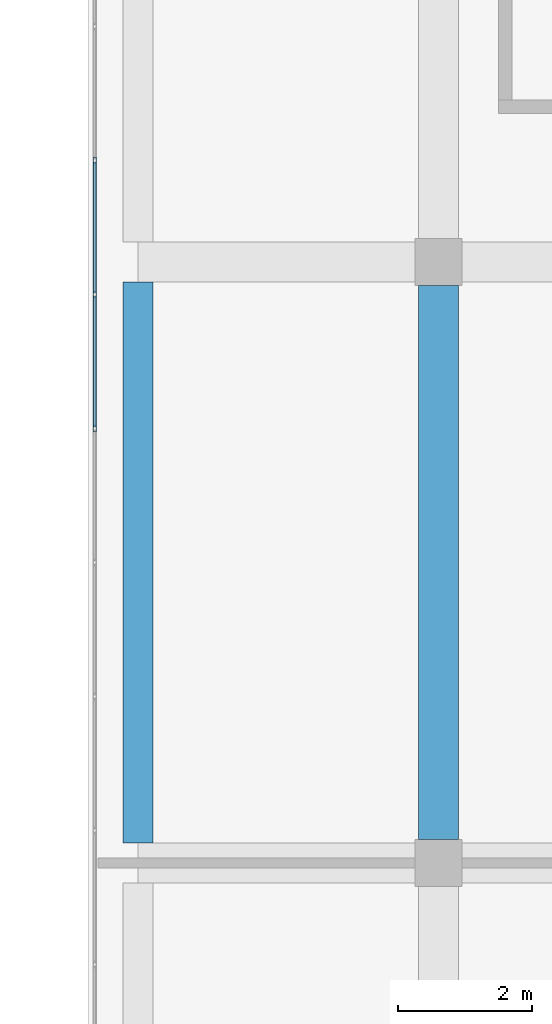
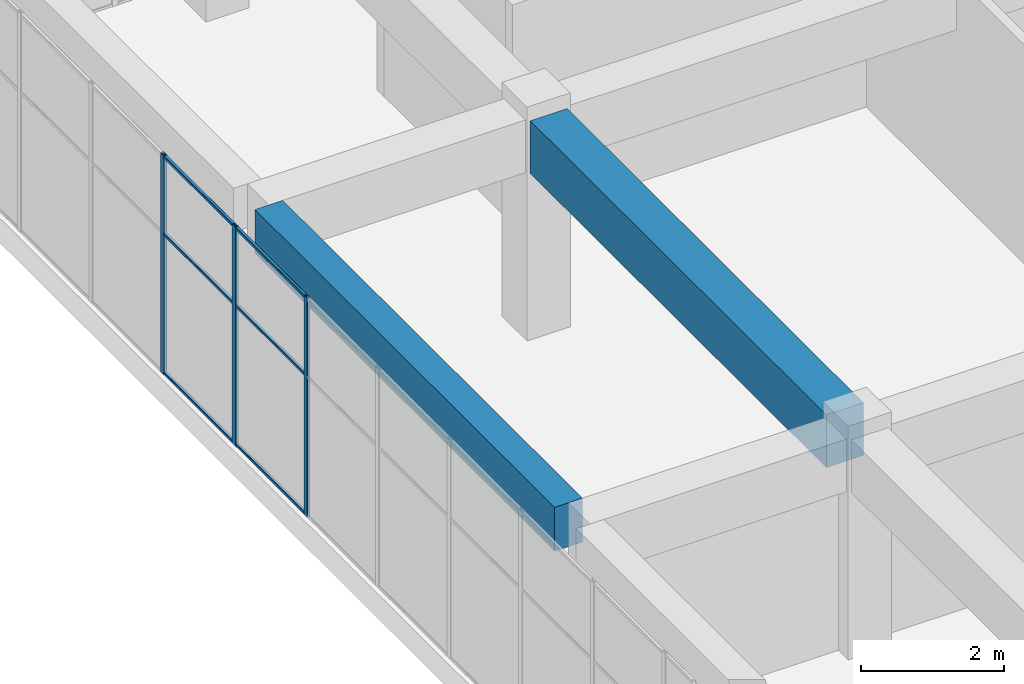
# One storey, part 19 of 49: 9 members, 2 beams, 1 element without a shape of its own.
"""IFC4 building model written with IfcOpenShell, lengths in metres."""

from ifc_helpers import new_model, si_unit, direction, frame, origin, origin_2d, place, context, subcontext, project, spatial, rectangle, hollow_rectangle, extrude, material, layer, layer_set, material_profile, profile_set, type_object, element, aggregate, save


model = new_model("IFC4")

# Units and contexts
model_context = context("Model", 3, precision=1e-05, world=origin(), true_north=direction((0.0, 1.0)))
body_context = subcontext(model_context, "Body", "Model", "MODEL_VIEW")
ifc_project = project(units=[si_unit("LENGTHUNIT", "METRE"), si_unit("AREAUNIT", "SQUARE_METRE"), si_unit("VOLUMEUNIT", "CUBIC_METRE"), si_unit("PLANEANGLEUNIT", "RADIAN"), si_unit("MASSUNIT", "GRAM", prefix="KILO")], contexts=[model_context])

# Site, building, storey
site_placement = place(None, origin())
site = spatial("IfcSite", under=ifc_project, at=site_placement, CompositionType="ELEMENT")
building_placement = place(site_placement, origin())
building = spatial("IfcBuilding", under=site, at=building_placement, Name="Tuart Plaza Theatre", CompositionType="ELEMENT")
storey_placement = place(building_placement, frame((0.0, 0.0, 29.5)))
storey = spatial("IfcBuildingStorey", under=building, at=storey_placement, Name="L07", CompositionType="ELEMENT", Elevation=29.5)

# Beams
ifc_material_1 = material(Name="Concrete N40 (40 MPa)", Category="concrete")
ifc_material_profile_1 = material_profile(ifc_material_1, rectangle(XDim=0.449951171875, YDim=0.75, at=origin_2d()), Name="BEAM 450x750 Concrete N40 (40 MPa)")
ifc_profile_set_1 = profile_set([ifc_material_profile_1], Name="Concrete N40 (40 MPa)")
beam_type_1 = type_object("IfcBeamType", Name="BEAM 450x750 Concrete N40 (40 MPa)", PredefinedType="BEAM", material=ifc_profile_set_1)
beam_1_placement = place(storey_placement, frame((109.5, 74.300048828125, 3.375), z_axis=(0.0, 1.0, 0.0), x_axis=(-1.0, 0.0, 0.0)))
element("IfcBeam", 1, at=beam_1_placement, inside=storey, type_object=beam_type_1, Name="RB250", PredefinedType="BEAM", context=body_context, shape_type="SweptSolid", body=[
    extrude(rectangle(XDim=0.449951171875, YDim=0.75, at=origin_2d()), origin(), (0.0, 0.0, 1.0), 8.39990234375),
])
ifc_material_2 = material(Name="Concrete N40 (40 MPa)", Category="concrete")
ifc_material_profile_2 = material_profile(ifc_material_2, rectangle(XDim=0.60009765625, YDim=0.89990234375, at=origin_2d()), Name="BEAM 600x900 Concrete N40 (40 MPa)")
ifc_profile_set_2 = profile_set([ifc_material_profile_2], Name="Concrete N40 (40 MPa)")
beam_type_2 = type_object("IfcBeamType", Name="BEAM 600x900 Concrete N40 (40 MPa)", PredefinedType="BEAM", material=ifc_profile_set_2)
beam_2_placement = place(storey_placement, frame((114.0, 74.35009765625, 3.300048828125), z_axis=(0.0, 1.0, 0.0), x_axis=(-1.0, 0.0, 0.0)))
element("IfcBeam", 2, at=beam_2_placement, inside=storey, type_object=beam_type_2, Name="RB259", PredefinedType="BEAM", context=body_context, shape_type="SweptSolid", body=[
    extrude(rectangle(XDim=0.60009765625, YDim=0.89990234375, at=origin_2d()), origin(), (0.0, 0.0, 1.0), 8.2998046875),
])

# Curtain wall, members
ifc_material_3 = material(Name="Aluminium and glass", Category="aluminium")
ifc_layer = layer(ifc_material_3, 0.10009765625)
ifc_layer_set = layer_set([ifc_layer], Name="CURTAIN WALL 2000 module")
curtain_wall_type = type_object("IfcCurtainWallType", Name="CURTAIN WALL 2000 module", PredefinedType="NOTDEFINED", material=ifc_layer_set)
curtain_wall_placement = place(storey_placement, origin())
curtain_wall = element("IfcCurtainWall", 3, at=curtain_wall_placement, inside=storey, type_object=curtain_wall_type, Name="CW97", PredefinedType="NOTDEFINED")
ifc_material_4 = material(Name="Aluminium 6063-T5", Category="aluminium")
ifc_material_profile_3 = material_profile(ifc_material_4, hollow_rectangle(XDim=0.050048828125, YDim=0.10009765625, WallThickness=0.00390625, InnerFilletRadius=0.00390625, OuterFilletRadius=0.008056640625, at=origin_2d()), Name="RHS 100x50x4")
ifc_profile_set_3 = profile_set([ifc_material_profile_3], Name="Aluminium 6063-T5")
member_type_1 = type_object("IfcMemberType", Name="MULLION RHS 100x50x4", PredefinedType="MULLION", material=ifc_profile_set_3)
member_1_placement = place(storey_placement, frame((108.85009765625, 84.521484375, 0.0), z_axis=(0.0, 0.0, 1.0), x_axis=(1.0, 0.0, 0.0)))
member_1 = element("IfcMember", 4, at=member_1_placement, type_object=member_type_1, Name="CW97 mullion 5", PredefinedType="MULLION", context=body_context, shape_type="SweptSolid", body=[
    extrude(hollow_rectangle(XDim=0.050048828125, YDim=0.10009765625, WallThickness=0.00390625, InnerFilletRadius=0.00390625, OuterFilletRadius=0.008056640625, at=origin_2d()), origin(), (0.0, 0.0, 1.0), 3.75),
])
member_2_placement = place(storey_placement, frame((108.85009765625, 82.514404296875, 0.0), z_axis=(0.0, 0.0, 1.0), x_axis=(1.0, 0.0, 0.0)))
member_2 = element("IfcMember", 5, at=member_2_placement, type_object=member_type_1, Name="CW97 mullion 6", PredefinedType="MULLION", context=body_context, shape_type="SweptSolid", body=[
    extrude(hollow_rectangle(XDim=0.050048828125, YDim=0.10009765625, WallThickness=0.00390625, InnerFilletRadius=0.00390625, OuterFilletRadius=0.008056640625, at=origin_2d()), origin(), (0.0, 0.0, 1.0), 3.75),
])
member_3_placement = place(storey_placement, frame((108.85009765625, 80.507080078125, 0.0), z_axis=(0.0, 0.0, 1.0), x_axis=(1.0, 0.0, 0.0)))
member_3 = element("IfcMember", 6, at=member_3_placement, type_object=member_type_1, Name="CW97 mullion 7", PredefinedType="MULLION", context=body_context, shape_type="SweptSolid", body=[
    extrude(hollow_rectangle(XDim=0.050048828125, YDim=0.10009765625, WallThickness=0.00390625, InnerFilletRadius=0.00390625, OuterFilletRadius=0.008056640625, at=origin_2d()), origin(), (0.0, 0.0, 1.0), 3.75),
])
ifc_material_5 = material(Name="Aluminium 6063-T5", Category="aluminium")
ifc_material_profile_4 = material_profile(ifc_material_5, hollow_rectangle(XDim=0.050048828125, YDim=0.050048828125, WallThickness=0.00390625, InnerFilletRadius=0.00390625, OuterFilletRadius=0.008056640625, at=origin_2d()), Name="RHS 50x50x4")
ifc_profile_set_4 = profile_set([ifc_material_profile_4], Name="Aluminium 6063-T5")
member_type_2 = type_object("IfcMemberType", Name="TRANSOM RHS 50x50x4", PredefinedType="USERDEFINED", material=ifc_profile_set_4)
member_4_placement = place(storey_placement, frame((108.85009765625, 84.496337890625, 0.02490234375), z_axis=(0.0, -1.0, 0.0), x_axis=(1.0, 0.0, 0.0)))
member_4 = element("IfcMember", 7, at=member_4_placement, type_object=member_type_2, Name="CW97 transom 5.1", ObjectType="TRANSOM", PredefinedType="USERDEFINED", context=body_context, shape_type="SweptSolid", body=[
    extrude(hollow_rectangle(XDim=0.050048828125, YDim=0.050048828125, WallThickness=0.00390625, InnerFilletRadius=0.00390625, OuterFilletRadius=0.008056640625, at=origin_2d()), origin(), (0.0, 0.0, 1.0), 1.95703125),
])
member_5_placement = place(storey_placement, frame((108.85009765625, 84.496337890625, 2.39990234375), z_axis=(0.0, -1.0, 0.0), x_axis=(1.0, 0.0, 0.0)))
member_5 = element("IfcMember", 8, at=member_5_placement, type_object=member_type_2, Name="CW97 transom 5.2", ObjectType="TRANSOM", PredefinedType="USERDEFINED", context=body_context, shape_type="SweptSolid", body=[
    extrude(hollow_rectangle(XDim=0.050048828125, YDim=0.050048828125, WallThickness=0.00390625, InnerFilletRadius=0.00390625, OuterFilletRadius=0.008056640625, at=origin_2d()), origin(), (0.0, 0.0, 1.0), 1.95703125),
])
member_6_placement = place(storey_placement, frame((108.85009765625, 84.496337890625, 3.72509765625), z_axis=(0.0, -1.0, 0.0), x_axis=(1.0, 0.0, 0.0)))
member_6 = element("IfcMember", 9, at=member_6_placement, type_object=member_type_2, Name="CW97 transom 5.3", ObjectType="TRANSOM", PredefinedType="USERDEFINED", context=body_context, shape_type="SweptSolid", body=[
    extrude(hollow_rectangle(XDim=0.050048828125, YDim=0.050048828125, WallThickness=0.00390625, InnerFilletRadius=0.00390625, OuterFilletRadius=0.008056640625, at=origin_2d()), origin(), (0.0, 0.0, 1.0), 1.95703125),
])
member_7_placement = place(storey_placement, frame((108.85009765625, 82.4892578125, 0.02490234375), z_axis=(0.0, -1.0, 0.0), x_axis=(1.0, 0.0, 0.0)))
member_7 = element("IfcMember", 10, at=member_7_placement, type_object=member_type_2, Name="CW97 transom 6.1", ObjectType="TRANSOM", PredefinedType="USERDEFINED", context=body_context, shape_type="SweptSolid", body=[
    extrude(hollow_rectangle(XDim=0.050048828125, YDim=0.050048828125, WallThickness=0.00390625, InnerFilletRadius=0.00390625, OuterFilletRadius=0.008056640625, at=origin_2d()), origin(), (0.0, 0.0, 1.0), 1.95703125),
])
member_8_placement = place(storey_placement, frame((108.85009765625, 82.4892578125, 2.39990234375), z_axis=(0.0, -1.0, 0.0), x_axis=(1.0, 0.0, 0.0)))
member_8 = element("IfcMember", 11, at=member_8_placement, type_object=member_type_2, Name="CW97 transom 6.2", ObjectType="TRANSOM", PredefinedType="USERDEFINED", context=body_context, shape_type="SweptSolid", body=[
    extrude(hollow_rectangle(XDim=0.050048828125, YDim=0.050048828125, WallThickness=0.00390625, InnerFilletRadius=0.00390625, OuterFilletRadius=0.008056640625, at=origin_2d()), origin(), (0.0, 0.0, 1.0), 1.95703125),
])
member_9_placement = place(storey_placement, frame((108.85009765625, 82.4892578125, 3.72509765625), z_axis=(0.0, -1.0, 0.0), x_axis=(1.0, 0.0, 0.0)))
member_9 = element("IfcMember", 12, at=member_9_placement, type_object=member_type_2, Name="CW97 transom 6.3", ObjectType="TRANSOM", PredefinedType="USERDEFINED", context=body_context, shape_type="SweptSolid", body=[
    extrude(hollow_rectangle(XDim=0.050048828125, YDim=0.050048828125, WallThickness=0.00390625, InnerFilletRadius=0.00390625, OuterFilletRadius=0.008056640625, at=origin_2d()), origin(), (0.0, 0.0, 1.0), 1.95703125),
])
aggregate(curtain_wall, [member_1, member_2, member_3, member_4, member_5, member_6, member_7, member_8, member_9])

save(model, "model.ifc")
